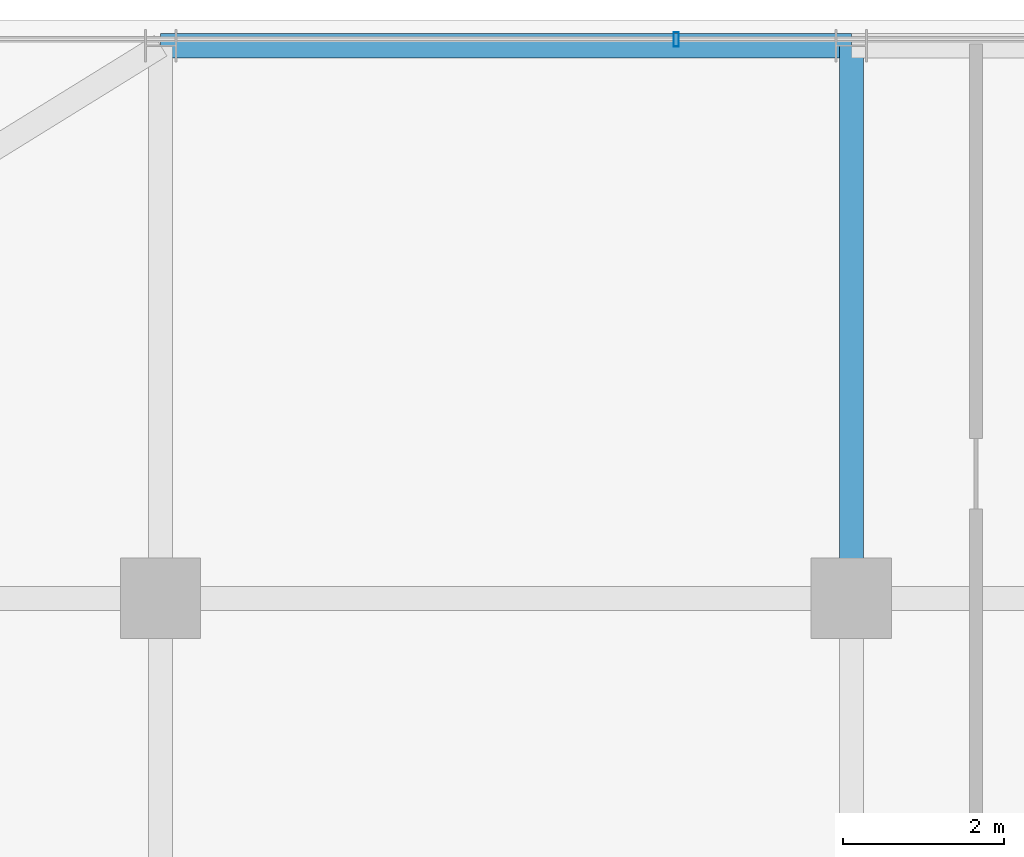
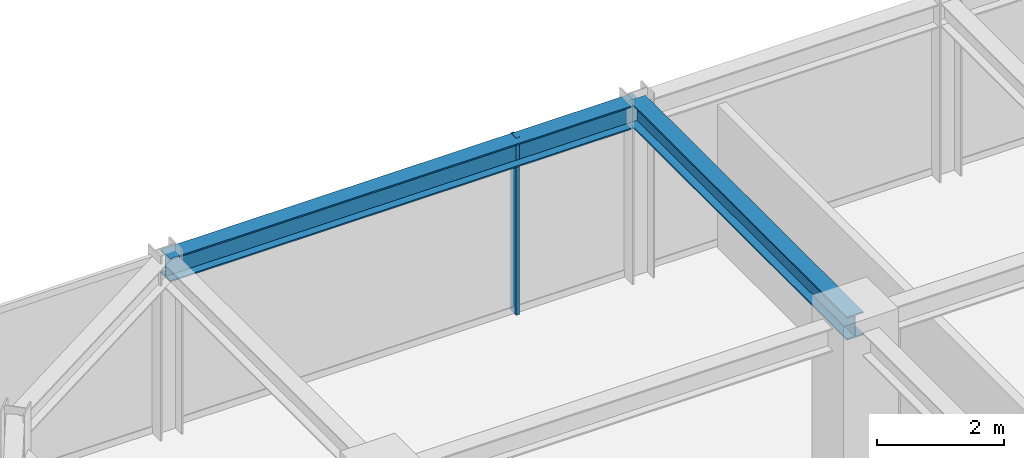
# One storey, part 21 of 36: 2 beams, 1 member, 1 element without a shape of its own.
"""IFC4 building model written with IfcOpenShell, lengths in metres."""

from ifc_helpers import new_model, si_unit, direction, frame, origin, origin_2d, place, context, subcontext, project, spatial, hollow_rectangle, i_section, extrude, source, transform, mapped, material, material_profile, profile_set, type_object, element, aggregate, save


model = new_model("IFC4")

# Units and contexts
model_context = context("Model", 3, precision=1e-05, world=origin(), true_north=direction((0.0, 1.0)))
body_context = subcontext(model_context, "Body", "Model", "MODEL_VIEW")
ifc_project = project(units=[si_unit("LENGTHUNIT", "METRE"), si_unit("AREAUNIT", "SQUARE_METRE"), si_unit("VOLUMEUNIT", "CUBIC_METRE"), si_unit("PLANEANGLEUNIT", "RADIAN"), si_unit("MASSUNIT", "GRAM", prefix="KILO")], contexts=[model_context])

# Site, building, storey
site_placement = place(None, origin())
site = spatial("IfcSite", under=ifc_project, at=site_placement, CompositionType="ELEMENT")
building_placement = place(site_placement, origin())
building = spatial("IfcBuilding", under=site, at=building_placement, Name="Nahalor Promenade Grand Hotel", CompositionType="ELEMENT")
storey_placement = place(building_placement, frame((0.0, 0.0, 253.0)))
storey = spatial("IfcBuildingStorey", under=building, at=storey_placement, Name="L65", CompositionType="ELEMENT", Elevation=253.0)

# Beams
ifc_material_1 = material(Name="Steel S355JR", Category="steel")
ifc_material_profile_1 = material_profile(ifc_material_1, i_section(OverallWidth=0.3, OverallDepth=0.45, WebThickness=0.014, FlangeThickness=0.026, at=origin_2d()), Name="HEB 450")
ifc_profile_set_1 = profile_set([ifc_material_profile_1], Name="Steel S355JR")
beam_type_1 = type_object("IfcBeamType", Name="Beam-Spandrel-HEB450", PredefinedType="SPANDREL", material=ifc_profile_set_1)
shared_shape_1 = source(origin(), body_context, "Body", "SweptSolid", [
    extrude(i_section(OverallWidth=0.3, OverallDepth=0.45, WebThickness=0.014, FlangeThickness=0.026, at=origin_2d()), origin(), (0.0, 0.0, 1.0), 8.60009765625),
])
beam_1_placement = place(storey_placement, frame((-17.0, 23.8798828125, 3.18505859375), z_axis=(1.0, 0.0, 0.0), x_axis=(0.0, 1.0, 0.0)))
element("IfcBeam", 1, at=beam_1_placement, inside=storey, type_object=beam_type_1, Name="BM-L65-SP-N-0", PredefinedType="SPANDREL", context=body_context, shape_type="MappedRepresentation", body=[
    mapped(shared_shape_1, transform((0.0, 0.0, 0.0), scale=1.0)),
])
ifc_material_profile_2 = material_profile(ifc_material_1, i_section(OverallWidth=0.3, OverallDepth=0.45, WebThickness=0.014, FlangeThickness=0.026, at=origin_2d()), Name="HEB 450")
ifc_profile_set_2 = profile_set([ifc_material_profile_2], Name="Steel S355JR")
beam_type_2 = type_object("IfcBeamType", Name="Beam-Girder-HEB450", PredefinedType="BEAM", material=ifc_profile_set_2)
shared_shape_2 = source(origin(), body_context, "Body", "SweptSolid", [
    extrude(i_section(OverallWidth=0.3, OverallDepth=0.45, WebThickness=0.014, FlangeThickness=0.026, at=origin_2d()), origin(), (0.0, 0.0, 1.0), 6.8798828125),
])
beam_2_placement = place(storey_placement, frame((-8.39990234375, 17.0, 3.18505859375), z_axis=(0.0, 1.0, 0.0), x_axis=(-1.0, 0.0, 0.0)))
element("IfcBeam", 2, at=beam_2_placement, inside=storey, type_object=beam_type_2, Name="BM-L65-GY-1-4", PredefinedType="BEAM", context=body_context, shape_type="MappedRepresentation", body=[
    mapped(shared_shape_2, transform((0.0, 0.0, 0.0), scale=1.0)),
])

# Curtain wall, member
ifc_material_2 = material(Name="Anodised Bronze Aluminium EN AW-6063 T6", Category="aluminium")
curtain_wall_type = type_object("IfcCurtainWallType", Name="CW2 Typical Hotel Flush Bronze Unitised Curtain Wall", PredefinedType="USERDEFINED", material=ifc_material_2)
curtain_wall_placement = place(storey_placement, origin())
curtain_wall = element("IfcCurtainWall", 3, at=curtain_wall_placement, inside=storey, type_object=curtain_wall_type, Name="L65 Curtain Wall CW-L65-N-1", ObjectType="UNITISED_CURTAIN_WALL", PredefinedType="USERDEFINED")
ifc_material_profile_3 = material_profile(ifc_material_2, hollow_rectangle(XDim=0.065, YDim=0.18, WallThickness=0.004, at=origin_2d()), Name="CWM 65x180x4")
ifc_profile_set_3 = profile_set([ifc_material_profile_3], Name="Anodised Bronze Aluminium EN AW-6063 T6")
member_type = type_object("IfcMemberType", Name="CWM2 Typical Bronze Mullion 65x180", PredefinedType="MULLION", material=ifc_profile_set_3)
shared_shape_3 = source(origin(), body_context, "Body", "SweptSolid", [
    extrude(hollow_rectangle(XDim=0.065, YDim=0.18, WallThickness=0.004, at=origin_2d()), origin(), (0.0, 0.0, 1.0), 3.409912109375),
])
member_placement = place(storey_placement, frame((-10.580078125, 23.9599609375, 0.0), z_axis=(0.0, 0.0, 1.0), x_axis=(1.0, 0.0, 0.0)))
member = element("IfcMember", 4, at=member_placement, type_object=member_type, Name="CW-L65-N-1 Mullion 1", PredefinedType="MULLION", context=body_context, shape_type="MappedRepresentation", body=[
    mapped(shared_shape_3, transform((0.0, 0.0, 0.0), scale=1.0)),
])
aggregate(curtain_wall, [member])

save(model, "model.ifc")
